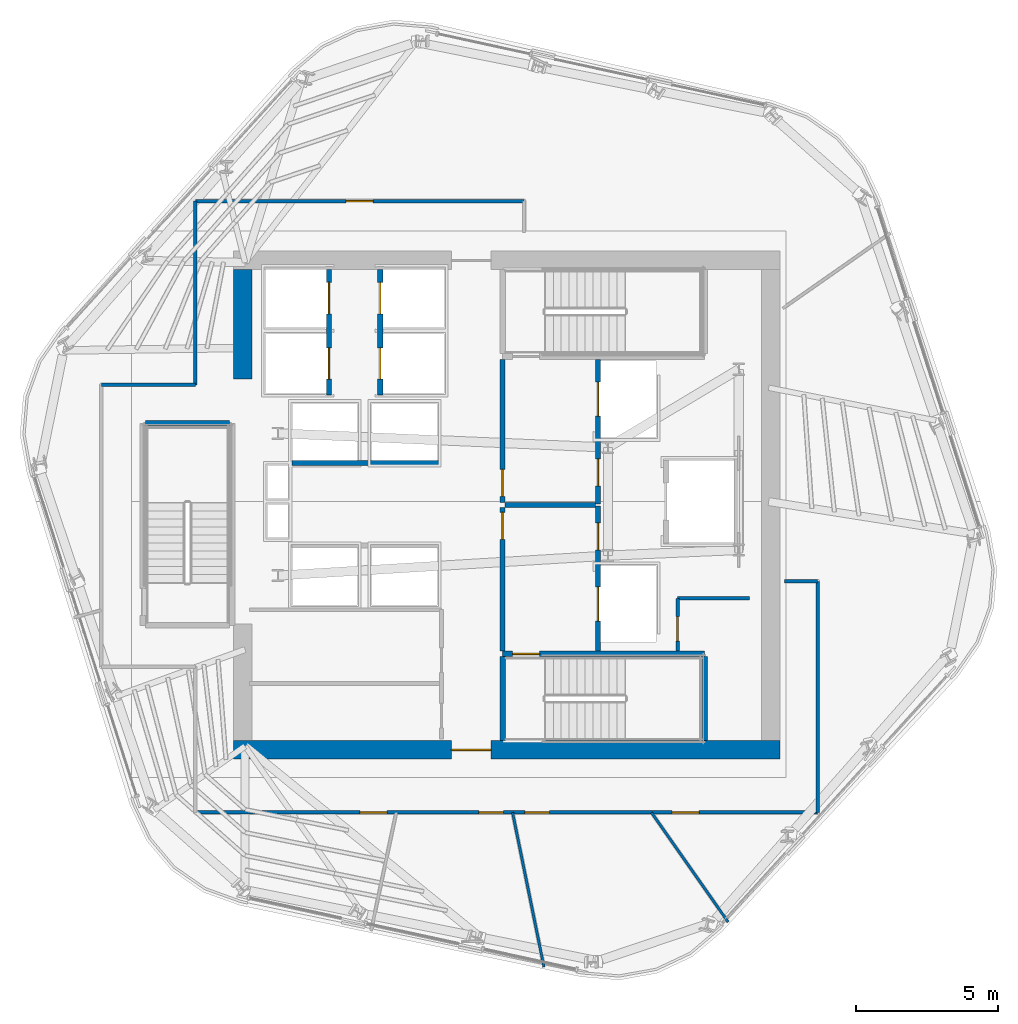
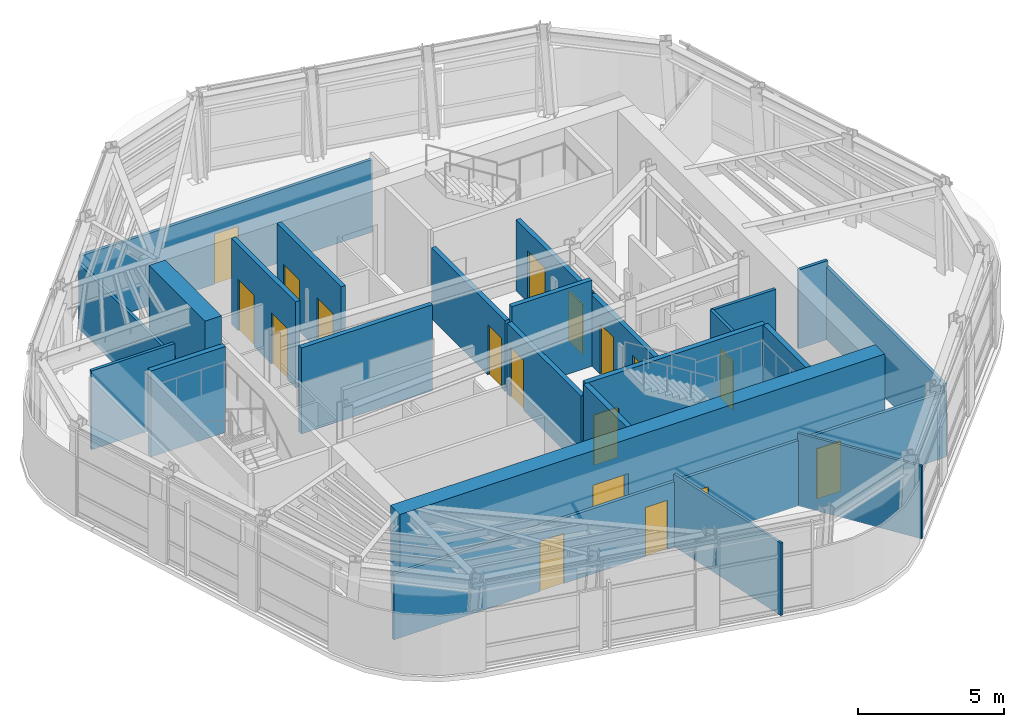
# One storey, part 7 of 13: 24 walls, 18 doors, 18 openings.
"""IFC4 building model written with IfcOpenShell, lengths in metres."""

import ifcopenshell
import ifcopenshell.guid

model = None  # the IFC model being written
_history = None  # IfcOwnerHistory: only IFC2X3 demands one
_inside = {}  # id of a spatial element -> (the spatial element, [elements in it])
_under = {}  # id of a project, library or spatial element -> (it, [spatial elements below it])
_declared = {}  # id of a project -> (the project, [libraries it declares])
_typed = {}  # id of a type object -> (the type object, [elements of that type])
_made_of = {}  # id of a material, layer set ... -> (it, [elements and type objects made of it])


def new_model(schema):
    """Start an empty IFC model of exactly this schema.

    Asked for "IFC4X3", IfcOpenShell would pick the latest addendum, in which some entities
    have other attributes; the version numbers below select the first issue.
    IFC2X3 requires an IfcOwnerHistory on every rooted entity: one is made here for all.
    """
    global model, _history
    if schema == "IFC4X3":
        model = ifcopenshell.file(schema_version=(4, 3, 0, 0))
    else:
        model = ifcopenshell.file(schema=schema)
    _inside.clear()
    _under.clear()
    _declared.clear()
    _typed.clear()
    _made_of.clear()
    _history = None
    if model.schema == "IFC2X3":
        org = make("IfcOrganization", Name="unknown")
        user = make(
            "IfcPersonAndOrganization",
            ThePerson=make("IfcPerson", FamilyName="unknown"),
            TheOrganization=org,
        )
        app = make(
            "IfcApplication",
            ApplicationDeveloper=org,
            Version="unknown",
            ApplicationFullName="unknown",
            ApplicationIdentifier="unknown",
        )
        _history = make(
            "IfcOwnerHistory",
            OwningUser=user,
            OwningApplication=app,
            ChangeAction="ADDED",
            CreationDate=0,
        )
    return model


def make(cls, **values):
    """One entity of the class cls with the attributes given. An attribute that is None is left unset."""
    return model.create_entity(
        cls, **{name: value for name, value in values.items() if value is not None}
    )


def rooted(cls, **values):
    """An entity with a GlobalId (a new one), such as an element, a storey or a relation."""
    return make(cls, GlobalId=ifcopenshell.guid.new(), OwnerHistory=_history, **values)


def si_unit(unit_type, name, prefix=None):
    """IfcSIUnit, for example si_unit("LENGTHUNIT", "METRE", prefix="MILLI")."""
    return make("IfcSIUnit", UnitType=unit_type, Prefix=prefix, Name=name)


def assignment(units):
    """IfcUnitAssignment: the units of a project."""
    return None if units is None else make("IfcUnitAssignment", Units=units)


def point(xyz):
    """IfcCartesianPoint."""
    return None if xyz is None else make("IfcCartesianPoint", Coordinates=xyz)


def direction(xyz):
    """IfcDirection."""
    return None if xyz is None else make("IfcDirection", DirectionRatios=xyz)


def frame(location, z_axis=None, x_axis=None):
    """IfcAxis2Placement3D, a coordinate frame: its origin and axes. An axis left out is left unset."""
    return make(
        "IfcAxis2Placement3D",
        Location=point(location),
        Axis=direction(z_axis),
        RefDirection=direction(x_axis),
    )


def frame_2d(location, x_axis=None):
    """IfcAxis2Placement2D, a coordinate frame in the plane: its origin and x axis."""
    return make(
        "IfcAxis2Placement2D", Location=point(location), RefDirection=direction(x_axis)
    )


def origin():
    """The frame at (0, 0, 0) with its axes left unset."""
    return frame((0.0, 0.0, 0.0))


def place(relative_to, where):
    """IfcLocalPlacement: puts the frame where relative to a parent placement (None: the world)."""
    return make(
        "IfcLocalPlacement", PlacementRelTo=relative_to, RelativePlacement=where
    )


def context(
    kind, dimensions, precision=None, world=None, true_north=None, identifier=None
):
    """IfcGeometricRepresentationContext, for example the 3D "Model" context."""
    return make(
        "IfcGeometricRepresentationContext",
        ContextIdentifier=identifier,
        ContextType=kind,
        CoordinateSpaceDimension=dimensions,
        Precision=precision,
        WorldCoordinateSystem=world,
        TrueNorth=true_north,
    )


def subcontext(parent, identifier, kind, view, scale=None):
    """IfcGeometricRepresentationSubContext, for example "Body" below "Model"."""
    return make(
        "IfcGeometricRepresentationSubContext",
        ContextIdentifier=identifier,
        ContextType=kind,
        ParentContext=parent,
        TargetScale=scale,
        TargetView=view,
    )


def project(units=None, contexts=None):
    """IfcProject with its units and contexts."""
    return rooted(
        "IfcProject",
        Name="project",
        RepresentationContexts=contexts,
        UnitsInContext=assignment(units),
    )


def spatial(cls, under=None, at=None, **own):
    """A site, building, storey or space (cls), placed at a placement, below another one or the project."""
    s = rooted(cls, ObjectPlacement=at, **own)
    if under is not None:
        _under.setdefault(under.id(), (under, []))[1].append(s)
    return s


def profile(cls, at=None, kind="AREA", **sizes):
    """A parametric profile (cls). Its sizes go by their IFC names, for example OverallWidth=200.0."""
    return make(cls, ProfileType=kind, Position=at, **sizes)


def rectangle(**sizes):
    """IfcRectangleProfileDef."""
    return profile("IfcRectangleProfileDef", **sizes)


def extrude(swept, where, along, depth):
    """IfcExtrudedAreaSolid: the profile swept, set in the frame where, extruded along a direction by depth."""
    return make(
        "IfcExtrudedAreaSolid",
        SweptArea=swept,
        Position=where,
        ExtrudedDirection=direction(along),
        Depth=depth,
    )


def shape(context_of_items, identifier, shape_type, items):
    """IfcShapeRepresentation: the items that make up one representation, for example the "Body"."""
    return make(
        "IfcShapeRepresentation",
        ContextOfItems=context_of_items,
        RepresentationIdentifier=identifier,
        RepresentationType=shape_type,
        Items=items,
    )


def material(Name=None, Category=None):
    """IfcMaterial."""
    return make("IfcMaterial", Name=Name, Category=Category)


def layer(
    of_material, thickness, ventilated=None, Name=None, Category=None, Priority=None
):
    """IfcMaterialLayer: one layer of a wall or slab, of a material (None: an air gap)."""
    return make(
        "IfcMaterialLayer",
        Material=of_material,
        LayerThickness=thickness,
        IsVentilated=ventilated,
        Name=Name,
        Category=Category,
        Priority=Priority,
    )


def layer_set(layers, Name=None):
    """IfcMaterialLayerSet."""
    return make("IfcMaterialLayerSet", MaterialLayers=layers, LayerSetName=Name)


def made_of(thing, what):
    """Note that an element or type object is made of a material, layer set ...; save() writes the relation."""
    if what is not None:
        _made_of.setdefault(what.id(), (what, []))[1].append(thing)
    return thing


def type_object(cls, material=None, **own):
    """A type object (cls), such as IfcWallType, which elements share."""
    return made_of(rooted(cls, **own), material)


def element(
    cls,
    number,
    at=None,
    inside=None,
    cuts=None,
    type_object=None,
    material=None,
    context=None,
    identifier="Body",
    shape_type=None,
    held_by="IfcProductDefinitionShape",
    body=None,
    shapes=None,
    **own,
):
    """One element of the class cls, such as IfcWall. Its Tag is "e" and its number.

    at: its placement. inside: the storey or other place that contains it. cuts: it is an
    opening in that element (IfcRelVoidsElement). A single representation is given by context,
    identifier, shape_type and body (its items); several are given by shapes. held_by: the class
    of the entity that holds the representations. save() writes the other relations.
    """
    e = rooted(cls, Tag="e%d" % number, ObjectPlacement=at, **own)
    if body is not None:
        shapes = [shape(context, identifier, shape_type, body)]
    if shapes is not None:
        e.Representation = make(held_by, Representations=shapes)
    if inside is not None:
        _inside.setdefault(inside.id(), (inside, []))[1].append(e)
    if cuts is not None:
        rooted(
            "IfcRelVoidsElement", RelatingBuildingElement=cuts, RelatedOpeningElement=e
        )
    if type_object is not None:
        _typed.setdefault(type_object.id(), (type_object, []))[1].append(e)
    return made_of(e, material)


def fill(opening, filler):
    """IfcRelFillsElement: the door or window that sits in an opening."""
    return rooted(
        "IfcRelFillsElement",
        RelatingOpeningElement=opening,
        RelatedBuildingElement=filler,
    )


def aggregate(whole, parts):
    """IfcRelAggregates: a whole, such as a stair, and the parts it consists of."""
    return rooted("IfcRelAggregates", RelatingObject=whole, RelatedObjects=parts)


def save(model, path):
    """Write the relations noted so far, then the file.

    IfcRelAggregates (storeys below a building ...), IfcRelContainedInSpatialStructure (elements
    in a storey), IfcRelDefinesByType, IfcRelAssociatesMaterial and IfcRelDeclares: one each for
    every whole, place, type object, material and project.
    """
    for whole, parts in _under.values():
        aggregate(whole, parts)
    for where, things in _inside.values():
        rooted(
            "IfcRelContainedInSpatialStructure",
            RelatedElements=things,
            RelatingStructure=where,
        )
    for kind, things in _typed.values():
        rooted("IfcRelDefinesByType", RelatedObjects=things, RelatingType=kind)
    for what, things in _made_of.values():
        rooted("IfcRelAssociatesMaterial", RelatedObjects=things, RelatingMaterial=what)
    for by, libraries in _declared.values():
        rooted("IfcRelDeclares", RelatingContext=by, RelatedDefinitions=libraries)
    model.write(path)


model = new_model("IFC4")

# Units and contexts
model_context = context("Model", 3, precision=1e-05, world=origin(), true_north=direction((0.0, 1.0)))
body_context = subcontext(model_context, "Body", "Model", "MODEL_VIEW")
ifc_project = project(units=[si_unit("LENGTHUNIT", "METRE"), si_unit("AREAUNIT", "SQUARE_METRE"), si_unit("VOLUMEUNIT", "CUBIC_METRE"), si_unit("PLANEANGLEUNIT", "RADIAN"), si_unit("MASSUNIT", "GRAM", prefix="KILO")], contexts=[model_context])

# Site, building, storey
site_placement = place(None, origin())
site = spatial("IfcSite", under=ifc_project, at=site_placement, CompositionType="ELEMENT")
building_placement = place(site_placement, origin())
building = spatial("IfcBuilding", under=site, at=building_placement, Name="Valkerne Bourse Tower", CompositionType="ELEMENT")
storey_placement = place(building_placement, frame((0.0, 0.0, 228.39990234375)))
storey = spatial("IfcBuildingStorey", under=building, at=storey_placement, Name="L58", CompositionType="ELEMENT", Elevation=228.39990234375)

# Wall, opening, door
ifc_material_1 = material(Name="Concrete C55/67", Category="concrete")
ifc_layer_1 = layer(ifc_material_1, 0.64990234375)
ifc_layer_set_1 = layer_set([ifc_layer_1], Name="Concrete C55/67")
wall_type_1 = type_object("IfcWallType", Name="W-CORE-650", PredefinedType="SHEAR", material=ifc_layer_set_1)
wall_1_placement = place(storey_placement, frame((37.199951171875, 18.27490234375, 0.0), z_axis=(0.0, 0.0, 1.0), x_axis=(1.0, 0.0, 0.0)))
wall_1 = element("IfcWall", 1, at=wall_1_placement, inside=storey, type_object=wall_type_1, Name="L58 Core Shear Wall SOUTH", PredefinedType="SHEAR", context=body_context, shape_type="SweptSolid", body=[
    extrude(rectangle(XDim=19.199951171875, YDim=0.64990234375, at=frame_2d((9.60009765625, 0.0))), origin(), (0.0, 0.0, 1.0), 3.60009765625),
])
opening_1_placement = place(wall_1_placement, frame((7.64990234375, 0.0, 0.0)))
opening_1 = element("IfcOpeningElement", 2, at=opening_1_placement, cuts=wall_1, Name="Opening D-PL-1400", PredefinedType="OPENING", context=body_context, shape_type="SweptSolid", body=[
    extrude(rectangle(XDim=1.39990234375, YDim=2.14990234375, at=frame_2d((0.699951171875, 1.074951171875))), frame((0.0, 0.3349609375, 0.0), z_axis=(0.0, -1.0, 0.0), x_axis=(1.0, 0.0, 0.0)), (0.0, 0.0, 1.0), 0.669921875),
])
ifc_material_2 = material(Name="Galvanised Painted Steel", Category="steel")
door_type_1 = type_object("IfcDoorType", Name="DR-PLT-1400", OperationType="DOUBLE_DOOR_SINGLE_SWING", PredefinedType="DOOR", material=ifc_material_2)
door_1_placement = place(opening_1_placement, origin())
door_1 = element("IfcDoor", 3, at=door_1_placement, inside=storey, type_object=door_type_1, Name="L58 South Passenger Lift Hall Fire Door", OperationType="DOUBLE_DOOR_SINGLE_SWING", OverallHeight=2.14990234375, OverallWidth=1.39990234375, PredefinedType="DOOR", context=body_context, shape_type="SweptSolid", body=[
    extrude(rectangle(XDim=1.39990234375, YDim=2.14990234375, at=frame_2d((0.699951171875, 1.074951171875))), frame((0.0, 0.02490234375, 0.0), z_axis=(0.0, -1.0, 0.0), x_axis=(1.0, 0.0, 0.0)), (0.0, 0.0, 1.0), 0.050048828125),
])
fill(opening_1, door_1)

# Wall
wall_2_placement = place(storey_placement, frame((37.52490234375, 31.300048828125, 0.0), z_axis=(0.0, 0.0, 1.0), x_axis=(0.0, 1.0, 0.0)))
element("IfcWall", 4, at=wall_2_placement, inside=storey, type_object=wall_type_1, Name="L58 Core Shear Wall WEST-N", PredefinedType="SHEAR", context=body_context, shape_type="SweptSolid", body=[
    extrude(rectangle(XDim=3.849853515625, YDim=0.64990234375, at=frame_2d((1.9248046875, 0.0))), origin(), (0.0, 0.0, 1.0), 3.60009765625),
])

# Wall, opening, door
ifc_material_3 = material(Name="Gypsum Board Steel-Stud Partition", Category="steel")
ifc_layer_2 = layer(ifc_material_3, 0.117919921875)
ifc_layer_set_2 = layer_set([ifc_layer_2], Name="Gypsum Board Steel-Stud Partition")
wall_type_2 = type_object("IfcWallType", Name="W-CORR-140", PredefinedType="PARTITIONING", material=ifc_layer_set_2)
wall_3_placement = place(storey_placement, frame((52.800048828125, 21.75, 0.0), z_axis=(0.0, 0.0, 1.0), x_axis=(0.0, 1.0, 0.0)))
wall_3 = element("IfcWall", 5, at=wall_3_placement, inside=storey, type_object=wall_type_2, Name="L58 Core SE South-Bay West Wall", PredefinedType="PARTITIONING", context=body_context, shape_type="SweptSolid", body=[
    extrude(rectangle(XDim=1.85009765625, YDim=0.117919921875, at=frame_2d((0.925048828125, 0.0))), origin(), (0.0, 0.0, 1.0), 3.300048828125),
])
opening_2_placement = place(wall_3_placement, frame((0.35009765625, 0.0, 0.0)))
opening_2 = element("IfcOpeningElement", 6, at=opening_2_placement, cuts=wall_3, Name="Opening D-WC-900", PredefinedType="OPENING", context=body_context, shape_type="SweptSolid", body=[
    extrude(rectangle(XDim=0.860107421875, YDim=2.050048828125, at=frame_2d((0.43017578125, 1.02490234375))), frame((0.0, 0.06884765625, 0.0), z_axis=(0.0, -1.0, 0.0), x_axis=(1.0, 0.0, 0.0)), (0.0, 0.0, 1.0), 0.137939453125),
])
ifc_material_4 = material(Name="Architectural White Oak Timber", Category="wood")
door_type_2 = type_object("IfcDoorType", Name="DR-WC-900", OperationType="NOTDEFINED", PredefinedType="DOOR", material=ifc_material_4)
door_2_placement = place(opening_2_placement, origin())
door_2 = element("IfcDoor", 7, at=door_2_placement, inside=storey, type_object=door_type_2, Name="L58 Janitor Store Door", OperationType="SINGLE_SWING_LEFT", OverallHeight=2.050048828125, OverallWidth=0.860107421875, PredefinedType="DOOR", context=body_context, shape_type="SweptSolid", body=[
    extrude(rectangle(XDim=0.860107421875, YDim=2.050048828125, at=frame_2d((0.43017578125, 1.02490234375))), frame((0.0, 0.02490234375, 0.0), z_axis=(0.0, -1.0, 0.0), x_axis=(1.0, 0.0, 0.0)), (0.0, 0.0, 1.0), 0.050048828125),
])
fill(opening_2, door_2)

# Walls
wall_4_placement = place(storey_placement, frame((52.800048828125, 23.60009765625, 0.0), z_axis=(0.0, 0.0, 1.0), x_axis=(1.0, 0.0, 0.0)))
element("IfcWall", 8, at=wall_4_placement, inside=storey, type_object=wall_type_2, Name="L58 Core SE South-Bay North Wall", PredefinedType="PARTITIONING", context=body_context, shape_type="SweptSolid", body=[
    extrude(rectangle(XDim=2.52001953125, YDim=0.117919921875, at=frame_2d((1.260009765625, 0.0))), origin(), (0.0, 0.0, 1.0), 3.300048828125),
])
wall_5_placement = place(storey_placement, frame((32.550048828125, 31.10009765625, 0.0), z_axis=(0.0, 0.0, 1.0), x_axis=(1.0, 0.0, 0.0)))
element("IfcWall", 9, at=wall_5_placement, inside=storey, type_object=wall_type_2, Name="L58 Corridor Enclosure Wall", PredefinedType="PARTITIONING", context=body_context, shape_type="SweptSolid", body=[
    extrude(rectangle(XDim=3.300048828125, YDim=0.117919921875, at=frame_2d((1.64990234375, 0.0))), origin(), (0.0, 0.0, 1.0), 3.300048828125),
])
wall_6_placement = place(storey_placement, frame((35.85009765625, 31.10009765625, 0.0), z_axis=(0.0, 0.0, 1.0), x_axis=(0.0, 1.0, 0.0)))
element("IfcWall", 10, at=wall_6_placement, inside=storey, type_object=wall_type_2, Name="L58 Corridor Enclosure Wall", PredefinedType="PARTITIONING", context=body_context, shape_type="SweptSolid", body=[
    extrude(rectangle(XDim=6.4599609375, YDim=0.117919921875, at=frame_2d((3.22998046875, 0.0))), origin(), (0.0, 0.0, 1.0), 2.731689453125),
])

# Wall, opening, door
wall_7_placement = place(storey_placement, frame((35.85009765625, 37.56005859375, 0.0), z_axis=(0.0, 0.0, 1.0), x_axis=(1.0, 0.0, 0.0)))
wall_7 = element("IfcWall", 11, at=wall_7_placement, inside=storey, type_object=wall_type_2, Name="L58 Corridor Enclosure Wall", PredefinedType="PARTITIONING", context=body_context, shape_type="SweptSolid", body=[
    extrude(rectangle(XDim=11.5498046875, YDim=0.117919921875, at=frame_2d((5.77490234375, 0.0))), origin(), (0.0, 0.0, 1.0), 3.036376953125),
])
opening_3_placement = place(wall_7_placement, frame((5.300048828125, 0.0, 0.0)))
opening_3 = element("IfcOpeningElement", 12, at=opening_3_placement, cuts=wall_7, Name="Opening D-OF-950", PredefinedType="OPENING", context=body_context, shape_type="SweptSolid", body=[
    extrude(rectangle(XDim=0.949951171875, YDim=2.10009765625, at=frame_2d((0.47509765625, 1.050048828125))), frame((0.0, 0.06884765625, 0.0), z_axis=(0.0, -1.0, 0.0), x_axis=(1.0, 0.0, 0.0)), (0.0, 0.0, 1.0), 0.137939453125),
])
door_type_3 = type_object("IfcDoorType", Name="DR-OFF-950", OperationType="NOTDEFINED", PredefinedType="DOOR", material=ifc_material_4)
door_3_placement = place(opening_3_placement, origin())
door_3 = element("IfcDoor", 13, at=door_3_placement, inside=storey, type_object=door_type_3, Name="L58 L58 Hospitality Catering Kitchen 5 Door", OperationType="SINGLE_SWING_RIGHT", OverallHeight=2.10009765625, OverallWidth=0.949951171875, PredefinedType="DOOR", context=body_context, shape_type="SweptSolid", body=[
    extrude(rectangle(XDim=0.949951171875, YDim=2.10009765625, at=frame_2d((0.47509765625, 1.050048828125))), frame((0.0, 0.02490234375, 0.0), z_axis=(0.0, -1.0, 0.0), x_axis=(1.0, 0.0, 0.0)), (0.0, 0.0, 1.0), 0.050048828125),
])
fill(opening_3, door_3)

# Walls
wall_8_placement = place(storey_placement, frame((56.56005859375, 24.199951171875, 0.0), z_axis=(0.0, 0.0, 1.0), x_axis=(1.0, 0.0, 0.0)))
element("IfcWall", 14, at=wall_8_placement, inside=storey, type_object=wall_type_2, Name="L58 Corridor Enclosure Wall", PredefinedType="PARTITIONING", context=body_context, shape_type="SweptSolid", body=[
    extrude(rectangle(XDim=1.159912109375, YDim=0.117919921875, at=frame_2d((0.580078125, 0.0))), origin(), (0.0, 0.0, 1.0), 3.300048828125),
])
wall_9_placement = place(storey_placement, frame((57.719970703125, 24.199951171875, 0.0), z_axis=(0.0, 0.0, 1.0), x_axis=(0.0, -1.0, 0.0)))
element("IfcWall", 15, at=wall_9_placement, inside=storey, type_object=wall_type_2, Name="L58 Corridor Enclosure Wall", PredefinedType="PARTITIONING", context=body_context, shape_type="SweptSolid", body=[
    extrude(rectangle(XDim=8.119873046875, YDim=0.117919921875, at=frame_2d((4.06005859375, 0.0))), origin(), (0.0, 0.0, 1.0), 3.036376953125),
])

# Wall, openings, doors
wall_10_placement = place(storey_placement, frame((57.719970703125, 16.080078125, 0.0), z_axis=(0.0, 0.0, 1.0), x_axis=(-1.0, 0.0, 0.0)))
wall_10 = element("IfcWall", 16, at=wall_10_placement, inside=storey, type_object=wall_type_2, Name="L58 Corridor Enclosure Wall", PredefinedType="PARTITIONING", context=body_context, shape_type="SweptSolid", body=[
    extrude(rectangle(XDim=21.869873046875, YDim=0.117919921875, at=frame_2d((10.93505859375, 0.0))), origin(), (0.0, 0.0, 1.0), 2.731689453125),
])
opening_4_placement = place(wall_10_placement, frame((11.044921875, 0.0, 0.0)))
opening_4 = element("IfcOpeningElement", 17, at=opening_4_placement, cuts=wall_10, Name="Opening D-WC-900", PredefinedType="OPENING", context=body_context, shape_type="SweptSolid", body=[
    extrude(rectangle(XDim=0.860107421875, YDim=2.050048828125, at=frame_2d((0.43017578125, 1.02490234375))), frame((0.0, 0.06884765625, 0.0), z_axis=(0.0, -1.0, 0.0), x_axis=(1.0, 0.0, 0.0)), (0.0, 0.0, 1.0), 0.137939453125),
])
opening_5_placement = place(wall_10_placement, frame((9.425048828125, 0.0, 0.0)))
opening_5 = element("IfcOpeningElement", 18, at=opening_5_placement, cuts=wall_10, Name="Opening D-WC-900", PredefinedType="OPENING", context=body_context, shape_type="SweptSolid", body=[
    extrude(rectangle(XDim=0.860107421875, YDim=2.050048828125, at=frame_2d((0.43017578125, 1.02490234375))), frame((0.0, 0.06884765625, 0.0), z_axis=(0.0, -1.0, 0.0), x_axis=(1.0, 0.0, 0.0)), (0.0, 0.0, 1.0), 0.137939453125),
])
opening_6_placement = place(wall_10_placement, frame((15.139892578125, 0.0, 0.0)))
opening_6 = element("IfcOpeningElement", 19, at=opening_6_placement, cuts=wall_10, Name="Opening D-OF-950", PredefinedType="OPENING", context=body_context, shape_type="SweptSolid", body=[
    extrude(rectangle(XDim=0.949951171875, YDim=2.10009765625, at=frame_2d((0.47509765625, 1.050048828125))), frame((0.0, 0.06884765625, 0.0), z_axis=(0.0, -1.0, 0.0), x_axis=(1.0, 0.0, 0.0)), (0.0, 0.0, 1.0), 0.137939453125),
])
opening_7_placement = place(wall_10_placement, frame((4.159912109375, 0.0, 0.0)))
opening_7 = element("IfcOpeningElement", 20, at=opening_7_placement, cuts=wall_10, Name="Opening D-OF-950", PredefinedType="OPENING", context=body_context, shape_type="SweptSolid", body=[
    extrude(rectangle(XDim=0.949951171875, YDim=2.10009765625, at=frame_2d((0.47509765625, 1.050048828125))), frame((0.0, 0.06884765625, 0.0), z_axis=(0.0, -1.0, 0.0), x_axis=(1.0, 0.0, 0.0)), (0.0, 0.0, 1.0), 0.137939453125),
])
door_4_placement = place(opening_6_placement, origin())
door_4 = element("IfcDoor", 21, at=door_4_placement, inside=storey, type_object=door_type_3, Name="L58 L58 Occupational Wellness Clinic 3 Door", OperationType="SINGLE_SWING_LEFT", OverallHeight=2.10009765625, OverallWidth=0.949951171875, PredefinedType="DOOR", context=body_context, shape_type="SweptSolid", body=[
    extrude(rectangle(XDim=0.949951171875, YDim=2.10009765625, at=frame_2d((0.47509765625, 1.050048828125))), frame((0.0, 0.02490234375, 0.0), z_axis=(0.0, -1.0, 0.0), x_axis=(1.0, 0.0, 0.0)), (0.0, 0.0, 1.0), 0.050048828125),
])
fill(opening_6, door_4)
door_5_placement = place(opening_7_placement, origin())
door_5 = element("IfcDoor", 22, at=door_5_placement, inside=storey, type_object=door_type_3, Name="L58 L58 Occupational Wellness Clinic 4 Door", OperationType="SINGLE_SWING_RIGHT", OverallHeight=2.10009765625, OverallWidth=0.949951171875, PredefinedType="DOOR", context=body_context, shape_type="SweptSolid", body=[
    extrude(rectangle(XDim=0.949951171875, YDim=2.10009765625, at=frame_2d((0.47509765625, 1.050048828125))), frame((0.0, 0.02490234375, 0.0), z_axis=(0.0, -1.0, 0.0), x_axis=(1.0, 0.0, 0.0)), (0.0, 0.0, 1.0), 0.050048828125),
])
fill(opening_7, door_5)
door_6_placement = place(opening_4_placement, origin())
door_6 = element("IfcDoor", 23, at=door_6_placement, inside=storey, type_object=door_type_2, Name="L58 L58 Men Bathroom WC 1 Door", OperationType="SINGLE_SWING_LEFT", OverallHeight=2.050048828125, OverallWidth=0.860107421875, PredefinedType="DOOR", context=body_context, shape_type="SweptSolid", body=[
    extrude(rectangle(XDim=0.860107421875, YDim=2.050048828125, at=frame_2d((0.43017578125, 1.02490234375))), frame((0.0, 0.02490234375, 0.0), z_axis=(0.0, -1.0, 0.0), x_axis=(1.0, 0.0, 0.0)), (0.0, 0.0, 1.0), 0.050048828125),
])
fill(opening_4, door_6)
door_7_placement = place(opening_5_placement, origin())
door_7 = element("IfcDoor", 24, at=door_7_placement, inside=storey, type_object=door_type_2, Name="L58 L58 Women Restroom & Shower WC 2 Door", OperationType="SINGLE_SWING_LEFT", OverallHeight=2.050048828125, OverallWidth=0.860107421875, PredefinedType="DOOR", context=body_context, shape_type="SweptSolid", body=[
    extrude(rectangle(XDim=0.860107421875, YDim=2.050048828125, at=frame_2d((0.43017578125, 1.02490234375))), frame((0.0, 0.02490234375, 0.0), z_axis=(0.0, -1.0, 0.0), x_axis=(1.0, 0.0, 0.0)), (0.0, 0.0, 1.0), 0.050048828125),
])
fill(opening_5, door_7)

# Wall
ifc_material_5 = material(Name="Gypsum Fire-Rated Shaftwall", Category="gypsum")
ifc_layer_3 = layer(ifc_material_5, 0.179931640625)
ifc_layer_set_3 = layer_set([ifc_layer_3], Name="Gypsum Fire-Rated Shaftwall")
wall_type_3 = type_object("IfcWallType", Name="W-FSAE-180", PredefinedType="PARTITIONING", material=ifc_layer_set_3)
wall_11_placement = place(storey_placement, frame((46.739990234375, 26.8798828125, 0.0), z_axis=(0.0, 0.0, 1.0), x_axis=(1.0, 0.0, 0.0)))
element("IfcWall", 25, at=wall_11_placement, inside=storey, type_object=wall_type_3, Name="L58 FSAE-1/2 Lobby Dividing Fire Wall", PredefinedType="PARTITIONING", context=body_context, shape_type="SweptSolid", body=[
    extrude(rectangle(XDim=3.169921875, YDim=0.179931640625, at=frame_2d((1.5849609375, 0.0))), origin(), (0.0, 0.0, 1.0), 3.60009765625),
])

# Wall, opening, door
wall_12_placement = place(storey_placement, frame((46.64990234375, 21.75, 0.0), z_axis=(0.0, 0.0, 1.0), x_axis=(0.0, 1.0, 0.0)))
wall_12 = element("IfcWall", 26, at=wall_12_placement, inside=storey, type_object=wall_type_3, Name="L58 FSAE-1 Lobby West Fire Wall", PredefinedType="PARTITIONING", context=body_context, shape_type="SweptSolid", body=[
    extrude(rectangle(XDim=5.050048828125, YDim=0.179931640625, at=frame_2d((2.52490234375, 0.0))), origin(), (0.0, 0.0, 1.0), 2.97802734375),
])
opening_8_placement = place(wall_12_placement, frame((3.919921875, 0.0, 0.0)))
opening_8 = element("IfcOpeningElement", 27, at=opening_8_placement, cuts=wall_12, Name="Opening D-FS-950", PredefinedType="OPENING", context=body_context, shape_type="SweptSolid", body=[
    extrude(rectangle(XDim=0.949951171875, YDim=2.10009765625, at=frame_2d((0.47509765625, 1.050048828125))), frame((0.0, 0.099853515625, 0.0), z_axis=(0.0, -1.0, 0.0), x_axis=(1.0, 0.0, 0.0)), (0.0, 0.0, 1.0), 0.199951171875),
])
door_type_4 = type_object("IfcDoorType", Name="DR-FSAE-950", OperationType="NOTDEFINED", PredefinedType="DOOR", material=ifc_material_2)
door_8_placement = place(opening_8_placement, origin())
door_8 = element("IfcDoor", 28, at=door_8_placement, inside=storey, type_object=door_type_4, Name="L58 FSAE-1 Hall Link Fire Door", OperationType="SINGLE_SWING_RIGHT", OverallHeight=2.10009765625, OverallWidth=0.949951171875, PredefinedType="DOOR", context=body_context, shape_type="SweptSolid", body=[
    extrude(rectangle(XDim=0.949951171875, YDim=2.10009765625, at=frame_2d((0.47509765625, 1.050048828125))), frame((0.0, 0.02490234375, 0.0), z_axis=(0.0, -1.0, 0.0), x_axis=(1.0, 0.0, 0.0)), (0.0, 0.0, 1.0), 0.050048828125),
])
fill(opening_8, door_8)

wall_13_placement = place(storey_placement, frame((46.64990234375, 26.9599609375, 0.0), z_axis=(0.0, 0.0, 1.0), x_axis=(0.0, 1.0, 0.0)))
wall_13 = element("IfcWall", 29, at=wall_13_placement, inside=storey, type_object=wall_type_3, Name="L58 FSAE-2 Lobby West Fire Wall", PredefinedType="PARTITIONING", context=body_context, shape_type="SweptSolid", body=[
    extrude(rectangle(XDim=5.0400390625, YDim=0.179931640625, at=frame_2d((2.52001953125, 0.0))), origin(), (0.0, 0.0, 1.0), 2.97802734375),
])
opening_9_placement = place(wall_13_placement, frame((0.219970703125, 0.0, 0.0)))
opening_9 = element("IfcOpeningElement", 30, at=opening_9_placement, cuts=wall_13, Name="Opening D-FS-950", PredefinedType="OPENING", context=body_context, shape_type="SweptSolid", body=[
    extrude(rectangle(XDim=0.949951171875, YDim=2.10009765625, at=frame_2d((0.47509765625, 1.050048828125))), frame((0.0, 0.099853515625, 0.0), z_axis=(0.0, -1.0, 0.0), x_axis=(1.0, 0.0, 0.0)), (0.0, 0.0, 1.0), 0.199951171875),
])
door_9_placement = place(opening_9_placement, origin())
door_9 = element("IfcDoor", 31, at=door_9_placement, inside=storey, type_object=door_type_4, Name="L58 FSAE-2 Hall Link Fire Door", OperationType="SINGLE_SWING_RIGHT", OverallHeight=2.10009765625, OverallWidth=0.949951171875, PredefinedType="DOOR", context=body_context, shape_type="SweptSolid", body=[
    extrude(rectangle(XDim=0.949951171875, YDim=2.10009765625, at=frame_2d((0.47509765625, 1.050048828125))), frame((0.0, 0.02490234375, 0.0), z_axis=(0.0, -1.0, 0.0), x_axis=(1.0, 0.0, 0.0)), (0.0, 0.0, 1.0), 0.050048828125),
])
fill(opening_9, door_9)

# Wall, openings, doors
wall_14_placement = place(storey_placement, frame((50.0, 21.75, 0.0), z_axis=(0.0, 0.0, 1.0), x_axis=(0.0, 1.0, 0.0)))
wall_14 = element("IfcWall", 32, at=wall_14_placement, inside=storey, type_object=wall_type_3, Name="L58 FSAE-1 Lobby & Shaft Front Wall", PredefinedType="PARTITIONING", context=body_context, shape_type="SweptSolid", body=[
    extrude(rectangle(XDim=5.090087890625, YDim=0.179931640625, at=frame_2d((2.544921875, 0.0))), origin(), (0.0, 0.0, 1.0), 2.97802734375),
])
opening_10_placement = place(wall_14_placement, frame((1.050048828125, 0.0, 0.0)))
opening_10 = element("IfcOpeningElement", 33, at=opening_10_placement, cuts=wall_14, Name="Opening LD-1200", PredefinedType="OPENING", context=body_context, shape_type="SweptSolid", body=[
    extrude(rectangle(XDim=1.199951171875, YDim=2.14990234375, at=frame_2d((0.60009765625, 1.074951171875))), frame((0.0, 0.099853515625, 0.0), z_axis=(0.0, -1.0, 0.0), x_axis=(1.0, 0.0, 0.0)), (0.0, 0.0, 1.0), 0.199951171875),
])
opening_11_placement = place(wall_14_placement, frame((3.550048828125, 0.0, 0.0)))
opening_11 = element("IfcOpeningElement", 34, at=opening_11_placement, cuts=wall_14, Name="Opening D-FS-950", PredefinedType="OPENING", context=body_context, shape_type="SweptSolid", body=[
    extrude(rectangle(XDim=0.949951171875, YDim=2.10009765625, at=frame_2d((0.47509765625, 1.050048828125))), frame((0.0, 0.099853515625, 0.0), z_axis=(0.0, -1.0, 0.0), x_axis=(1.0, 0.0, 0.0)), (0.0, 0.0, 1.0), 0.199951171875),
])
door_10_placement = place(opening_11_placement, origin())
door_10 = element("IfcDoor", 35, at=door_10_placement, inside=storey, type_object=door_type_4, Name="L58 FSAE-1 Lobby Corridor Fire Door", OperationType="SINGLE_SWING_RIGHT", OverallHeight=2.10009765625, OverallWidth=0.949951171875, PredefinedType="DOOR", context=body_context, shape_type="SweptSolid", body=[
    extrude(rectangle(XDim=0.949951171875, YDim=2.10009765625, at=frame_2d((0.47509765625, 1.050048828125))), frame((0.0, 0.02490234375, 0.0), z_axis=(0.0, -1.0, 0.0), x_axis=(1.0, 0.0, 0.0)), (0.0, 0.0, 1.0), 0.050048828125),
])
fill(opening_11, door_10)
ifc_material_6 = material(Name="Stainless Steel AISI 316", Category="steel")
door_type_5 = type_object("IfcDoorType", Name="DR-LIFT-1200", OperationType="DOUBLE_DOOR_SLIDING", PredefinedType="DOOR", material=ifc_material_6)
door_11_placement = place(opening_10_placement, origin())
door_11 = element("IfcDoor", 36, at=door_11_placement, inside=storey, type_object=door_type_5, Name="L58 FSAE-1 Firefighting Lift Landing Door", OperationType="DOUBLE_DOOR_SLIDING", OverallHeight=2.14990234375, OverallWidth=1.199951171875, PredefinedType="DOOR", context=body_context, shape_type="SweptSolid", body=[
    extrude(rectangle(XDim=1.199951171875, YDim=2.14990234375, at=frame_2d((0.60009765625, 1.074951171875))), frame((0.0, 0.02490234375, 0.0), z_axis=(0.0, -1.0, 0.0), x_axis=(1.0, 0.0, 0.0)), (0.0, 0.0, 1.0), 0.050048828125),
])
fill(opening_10, door_11)

wall_15_placement = place(storey_placement, frame((50.0, 26.919921875, 0.0), z_axis=(0.0, 0.0, 1.0), x_axis=(0.0, 1.0, 0.0)))
wall_15 = element("IfcWall", 37, at=wall_15_placement, inside=storey, type_object=wall_type_3, Name="L58 FSAE-2 Lobby & Shaft Front Wall", PredefinedType="PARTITIONING", context=body_context, shape_type="SweptSolid", body=[
    extrude(rectangle(XDim=5.080078125, YDim=0.179931640625, at=frame_2d((2.5400390625, 0.0))), origin(), (0.0, 0.0, 1.0), 2.97802734375),
])
opening_12_placement = place(wall_15_placement, frame((3.080078125, 0.0, 0.0)))
opening_12 = element("IfcOpeningElement", 38, at=opening_12_placement, cuts=wall_15, Name="Opening LD-1200", PredefinedType="OPENING", context=body_context, shape_type="SweptSolid", body=[
    extrude(rectangle(XDim=1.199951171875, YDim=2.14990234375, at=frame_2d((0.60009765625, 1.074951171875))), frame((0.0, 0.099853515625, 0.0), z_axis=(0.0, -1.0, 0.0), x_axis=(1.0, 0.0, 0.0)), (0.0, 0.0, 1.0), 0.199951171875),
])
opening_13_placement = place(wall_15_placement, frame((0.6298828125, 0.0, 0.0)))
opening_13 = element("IfcOpeningElement", 39, at=opening_13_placement, cuts=wall_15, Name="Opening D-FS-950", PredefinedType="OPENING", context=body_context, shape_type="SweptSolid", body=[
    extrude(rectangle(XDim=0.949951171875, YDim=2.10009765625, at=frame_2d((0.47509765625, 1.050048828125))), frame((0.0, 0.099853515625, 0.0), z_axis=(0.0, -1.0, 0.0), x_axis=(1.0, 0.0, 0.0)), (0.0, 0.0, 1.0), 0.199951171875),
])
door_12_placement = place(opening_13_placement, origin())
door_12 = element("IfcDoor", 40, at=door_12_placement, inside=storey, type_object=door_type_4, Name="L58 FSAE-2 Lobby Corridor Fire Door", OperationType="SINGLE_SWING_LEFT", OverallHeight=2.10009765625, OverallWidth=0.949951171875, PredefinedType="DOOR", context=body_context, shape_type="SweptSolid", body=[
    extrude(rectangle(XDim=0.949951171875, YDim=2.10009765625, at=frame_2d((0.47509765625, 1.050048828125))), frame((0.0, 0.02490234375, 0.0), z_axis=(0.0, -1.0, 0.0), x_axis=(1.0, 0.0, 0.0)), (0.0, 0.0, 1.0), 0.050048828125),
])
fill(opening_13, door_12)
door_13_placement = place(opening_12_placement, origin())
door_13 = element("IfcDoor", 41, at=door_13_placement, inside=storey, type_object=door_type_5, Name="L58 FSAE-2 Firefighting Lift Landing Door", OperationType="DOUBLE_DOOR_SLIDING", OverallHeight=2.14990234375, OverallWidth=1.199951171875, PredefinedType="DOOR", context=body_context, shape_type="SweptSolid", body=[
    extrude(rectangle(XDim=1.199951171875, YDim=2.14990234375, at=frame_2d((0.60009765625, 1.074951171875))), frame((0.0, 0.02490234375, 0.0), z_axis=(0.0, -1.0, 0.0), x_axis=(1.0, 0.0, 0.0)), (0.0, 0.0, 1.0), 0.050048828125),
])
fill(opening_12, door_13)

ifc_material_7 = material(Name="CMU Blockwork Masonry 200mm", Category="masonry")
ifc_layer_4 = layer(ifc_material_7, 0.179931640625)
ifc_layer_set_4 = layer_set([ifc_layer_4], Name="CMU Blockwork Masonry 200mm")
wall_type_4 = type_object("IfcWallType", Name="W-LFT-180", PredefinedType="SOLIDWALL", material=ifc_layer_set_4)
wall_16_placement = place(storey_placement, frame((40.550048828125, 30.75, 0.0), z_axis=(0.0, 0.0, 1.0), x_axis=(0.0, 1.0, 0.0)))
wall_16 = element("IfcWall", 42, at=wall_16_placement, inside=storey, type_object=wall_type_4, Name="L58 Mid-Zone West Cars Front Wall", PredefinedType="SOLIDWALL", context=body_context, shape_type="SweptSolid", body=[
    extrude(rectangle(XDim=4.39990234375, YDim=0.179931640625, at=frame_2d((2.199951171875, 0.0))), origin(), (0.0, 0.0, 1.0), 3.60009765625),
])
opening_14_placement = place(wall_16_placement, frame((0.550048828125, 0.0, 0.0)))
opening_14 = element("IfcOpeningElement", 43, at=opening_14_placement, cuts=wall_16, Name="Opening LD-1100", PredefinedType="OPENING", context=body_context, shape_type="SweptSolid", body=[
    extrude(rectangle(XDim=1.10009765625, YDim=2.14990234375, at=frame_2d((0.550048828125, 1.074951171875))), frame((0.0, 0.099853515625, 0.0), z_axis=(0.0, -1.0, 0.0), x_axis=(1.0, 0.0, 0.0)), (0.0, 0.0, 1.0), 0.199951171875),
])
opening_15_placement = place(wall_16_placement, frame((2.85009765625, 0.0, 0.0)))
opening_15 = element("IfcOpeningElement", 44, at=opening_15_placement, cuts=wall_16, Name="Opening LD-1100", PredefinedType="OPENING", context=body_context, shape_type="SweptSolid", body=[
    extrude(rectangle(XDim=1.10009765625, YDim=2.14990234375, at=frame_2d((0.550048828125, 1.074951171875))), frame((0.0, 0.099853515625, 0.0), z_axis=(0.0, -1.0, 0.0), x_axis=(1.0, 0.0, 0.0)), (0.0, 0.0, 1.0), 0.199951171875),
])
door_type_6 = type_object("IfcDoorType", Name="DR-LIFT-1100", OperationType="DOUBLE_DOOR_SLIDING", PredefinedType="DOOR", material=ifc_material_6)
door_14_placement = place(opening_14_placement, origin())
door_14 = element("IfcDoor", 45, at=door_14_placement, inside=storey, type_object=door_type_6, Name="L58 Passenger Lift PL-M1 Sliding Landing Door", OperationType="DOUBLE_DOOR_SLIDING", OverallHeight=2.14990234375, OverallWidth=1.10009765625, PredefinedType="DOOR", context=body_context, shape_type="SweptSolid", body=[
    extrude(rectangle(XDim=1.10009765625, YDim=2.14990234375, at=frame_2d((0.550048828125, 1.074951171875))), frame((0.0, 0.02490234375, 0.0), z_axis=(0.0, -1.0, 0.0), x_axis=(1.0, 0.0, 0.0)), (0.0, 0.0, 1.0), 0.050048828125),
])
fill(opening_14, door_14)
door_15_placement = place(opening_15_placement, origin())
door_15 = element("IfcDoor", 46, at=door_15_placement, inside=storey, type_object=door_type_6, Name="L58 Passenger Lift PL-M2 Sliding Landing Door", OperationType="DOUBLE_DOOR_SLIDING", OverallHeight=2.14990234375, OverallWidth=1.10009765625, PredefinedType="DOOR", context=body_context, shape_type="SweptSolid", body=[
    extrude(rectangle(XDim=1.10009765625, YDim=2.14990234375, at=frame_2d((0.550048828125, 1.074951171875))), frame((0.0, 0.02490234375, 0.0), z_axis=(0.0, -1.0, 0.0), x_axis=(1.0, 0.0, 0.0)), (0.0, 0.0, 1.0), 0.050048828125),
])
fill(opening_15, door_15)

wall_17_placement = place(storey_placement, frame((42.35009765625, 30.75, 0.0), z_axis=(0.0, 0.0, 1.0), x_axis=(0.0, 1.0, 0.0)))
wall_17 = element("IfcWall", 47, at=wall_17_placement, inside=storey, type_object=wall_type_4, Name="L58 Mid-Zone East Cars Front Wall", PredefinedType="SOLIDWALL", context=body_context, shape_type="SweptSolid", body=[
    extrude(rectangle(XDim=4.39990234375, YDim=0.179931640625, at=frame_2d((2.199951171875, 0.0))), origin(), (0.0, 0.0, 1.0), 3.60009765625),
])
opening_16_placement = place(wall_17_placement, frame((0.550048828125, 0.0, 0.0)))
opening_16 = element("IfcOpeningElement", 48, at=opening_16_placement, cuts=wall_17, Name="Opening LD-1100", PredefinedType="OPENING", context=body_context, shape_type="SweptSolid", body=[
    extrude(rectangle(XDim=1.10009765625, YDim=2.14990234375, at=frame_2d((0.550048828125, 1.074951171875))), frame((0.0, 0.099853515625, 0.0), z_axis=(0.0, -1.0, 0.0), x_axis=(1.0, 0.0, 0.0)), (0.0, 0.0, 1.0), 0.199951171875),
])
opening_17_placement = place(wall_17_placement, frame((2.85009765625, 0.0, 0.0)))
opening_17 = element("IfcOpeningElement", 49, at=opening_17_placement, cuts=wall_17, Name="Opening LD-1100", PredefinedType="OPENING", context=body_context, shape_type="SweptSolid", body=[
    extrude(rectangle(XDim=1.10009765625, YDim=2.14990234375, at=frame_2d((0.550048828125, 1.074951171875))), frame((0.0, 0.099853515625, 0.0), z_axis=(0.0, -1.0, 0.0), x_axis=(1.0, 0.0, 0.0)), (0.0, 0.0, 1.0), 0.199951171875),
])
door_16_placement = place(opening_16_placement, origin())
door_16 = element("IfcDoor", 50, at=door_16_placement, inside=storey, type_object=door_type_6, Name="L58 Passenger Lift PL-M3 Sliding Landing Door", OperationType="DOUBLE_DOOR_SLIDING", OverallHeight=2.14990234375, OverallWidth=1.10009765625, PredefinedType="DOOR", context=body_context, shape_type="SweptSolid", body=[
    extrude(rectangle(XDim=1.10009765625, YDim=2.14990234375, at=frame_2d((0.550048828125, 1.074951171875))), frame((0.0, 0.02490234375, 0.0), z_axis=(0.0, -1.0, 0.0), x_axis=(1.0, 0.0, 0.0)), (0.0, 0.0, 1.0), 0.050048828125),
])
fill(opening_16, door_16)
door_17_placement = place(opening_17_placement, origin())
door_17 = element("IfcDoor", 51, at=door_17_placement, inside=storey, type_object=door_type_6, Name="L58 Passenger Lift PL-M4 Sliding Landing Door", OperationType="DOUBLE_DOOR_SLIDING", OverallHeight=2.14990234375, OverallWidth=1.10009765625, PredefinedType="DOOR", context=body_context, shape_type="SweptSolid", body=[
    extrude(rectangle(XDim=1.10009765625, YDim=2.14990234375, at=frame_2d((0.550048828125, 1.074951171875))), frame((0.0, 0.02490234375, 0.0), z_axis=(0.0, -1.0, 0.0), x_axis=(1.0, 0.0, 0.0)), (0.0, 0.0, 1.0), 0.050048828125),
])
fill(opening_17, door_17)

# Walls
wall_18_placement = place(storey_placement, frame((39.25, 28.35009765625, 0.0), z_axis=(0.0, 0.0, 1.0), x_axis=(1.0, 0.0, 0.0)))
element("IfcWall", 52, at=wall_18_placement, inside=storey, type_object=wall_type_4, Name="L58 High-Zone North Cars Front Wall", PredefinedType="SOLIDWALL", context=body_context, shape_type="SweptSolid", body=[
    extrude(rectangle(XDim=5.199951171875, YDim=0.179931640625, at=frame_2d((2.60009765625, 0.0))), origin(), (0.0, 0.0, 1.0), 3.60009765625),
])
ifc_layer_5 = layer(ifc_material_3, 0.092041015625)
ifc_layer_set_5 = layer_set([ifc_layer_5], Name="Gypsum Board Steel-Stud Partition")
wall_type_5 = type_object("IfcWallType", Name="W-PART-115", PredefinedType="PARTITIONING", material=ifc_layer_set_5)
wall_19_placement = place(storey_placement, frame((46.998779296875, 16.074951171875, 0.0), z_axis=(0.0, 0.0, 1.0), x_axis=(0.199418846487, -0.979914345066, 0.0)))
element("IfcWall", 53, at=wall_19_placement, inside=storey, type_object=wall_type_5, Name="L58 Suite Partition P02", PredefinedType="PARTITIONING", context=body_context, shape_type="SweptSolid", body=[
    extrude(rectangle(XDim=5.542236328125, YDim=0.092041015625, at=frame_2d((2.77099609375, 0.0))), origin(), (0.0, 0.0, 1.0), 3.036376953125),
])
wall_20_placement = place(storey_placement, frame((51.87939453125, 16.074951171875, 0.0), z_axis=(0.0, 0.0, 1.0), x_axis=(0.573577374402, -0.819151387458, 0.0)))
element("IfcWall", 54, at=wall_20_placement, inside=storey, type_object=wall_type_5, Name="L58 Suite Partition P03", PredefinedType="PARTITIONING", context=body_context, shape_type="SweptSolid", body=[
    extrude(rectangle(XDim=4.700439453125, YDim=0.092041015625, at=frame_2d((2.35009765625, 0.0))), origin(), (0.0, 0.0, 1.0), 3.036376953125),
])

# Wall, opening, door
ifc_material_8 = material(Name="Concrete C40/50", Category="concrete")
ifc_layer_6 = layer(ifc_material_8, 0.199951171875)
ifc_layer_set_6 = layer_set([ifc_layer_6], Name="Concrete C40/50")
wall_type_6 = type_object("IfcWallType", Name="W-SHF-200", PredefinedType="SHEAR", material=ifc_layer_set_6)
wall_21_placement = place(storey_placement, frame((46.64990234375, 21.64990234375, 0.0), z_axis=(0.0, 0.0, 1.0), x_axis=(1.0, 0.0, 0.0)))
wall_21 = element("IfcWall", 55, at=wall_21_placement, inside=storey, type_object=wall_type_6, Name="L58 Exit Stair ST-1 Structural Shaft Wall North", PredefinedType="SHEAR", context=body_context, shape_type="SweptSolid", body=[
    extrude(rectangle(XDim=7.10009765625, YDim=0.199951171875, at=frame_2d((3.550048828125, 0.0))), origin(), (0.0, 0.0, 1.0), 3.60009765625),
])
opening_18_placement = place(wall_21_placement, frame((0.35009765625, 0.0, 0.0)))
opening_18 = element("IfcOpeningElement", 56, at=opening_18_placement, cuts=wall_21, Name="Opening D-ST-950", PredefinedType="OPENING", context=body_context, shape_type="SweptSolid", body=[
    extrude(rectangle(XDim=0.949951171875, YDim=2.10009765625, at=frame_2d((0.47509765625, 1.050048828125))), frame((0.0, 0.10986328125, 0.0), z_axis=(0.0, -1.0, 0.0), x_axis=(1.0, 0.0, 0.0)), (0.0, 0.0, 1.0), 0.219970703125),
])
door_type_7 = type_object("IfcDoorType", Name="DR-STAIR-950", OperationType="NOTDEFINED", PredefinedType="DOOR", material=ifc_material_2)
door_18_placement = place(opening_18_placement, origin())
door_18 = element("IfcDoor", 57, at=door_18_placement, inside=storey, type_object=door_type_7, Name="L58 Exit Stair ST-1 Door", OperationType="SINGLE_SWING_RIGHT", OverallHeight=2.10009765625, OverallWidth=0.949951171875, PredefinedType="DOOR", context=body_context, shape_type="SweptSolid", body=[
    extrude(rectangle(XDim=0.949951171875, YDim=2.10009765625, at=frame_2d((0.47509765625, 1.050048828125))), frame((0.0, 0.02490234375, 0.0), z_axis=(0.0, -1.0, 0.0), x_axis=(1.0, 0.0, 0.0)), (0.0, 0.0, 1.0), 0.050048828125),
])
fill(opening_18, door_18)

# Walls
for number, where, z_axis, x_axis, name in (
    (58, (46.64990234375, 18.60009765625, 0.0), (0.0, 0.0, 1.0), (0.0, 1.0, 0.0), "L58 Exit Stair ST-1 Structural Shaft Wall West"),
    (59, (53.75, 18.60009765625, 0.0), (0.0, 0.0, 1.0), (0.0, 1.0, 0.0), "L58 Exit Stair ST-1 Structural Shaft Wall East"),
    (60, (34.10009765625, 29.75, 0.0), (0.0, 0.0, 1.0), (1.0, 0.0, 0.0), "L58 Exit Stair ST-3 Structural Shaft Wall North"),
):
    element("IfcWall", number, at=place(storey_placement, frame(where, z_axis=z_axis, x_axis=x_axis)), inside=storey, type_object=wall_type_6, Name=name, PredefinedType="SHEAR", context=body_context, shape_type="SweptSolid", body=[
        extrude(rectangle(XDim=2.949951171875, YDim=0.199951171875, at=frame_2d((1.47509765625, 0.0))), origin(), (0.0, 0.0, 1.0), 3.60009765625),
    ])

save(model, "model.ifc")
